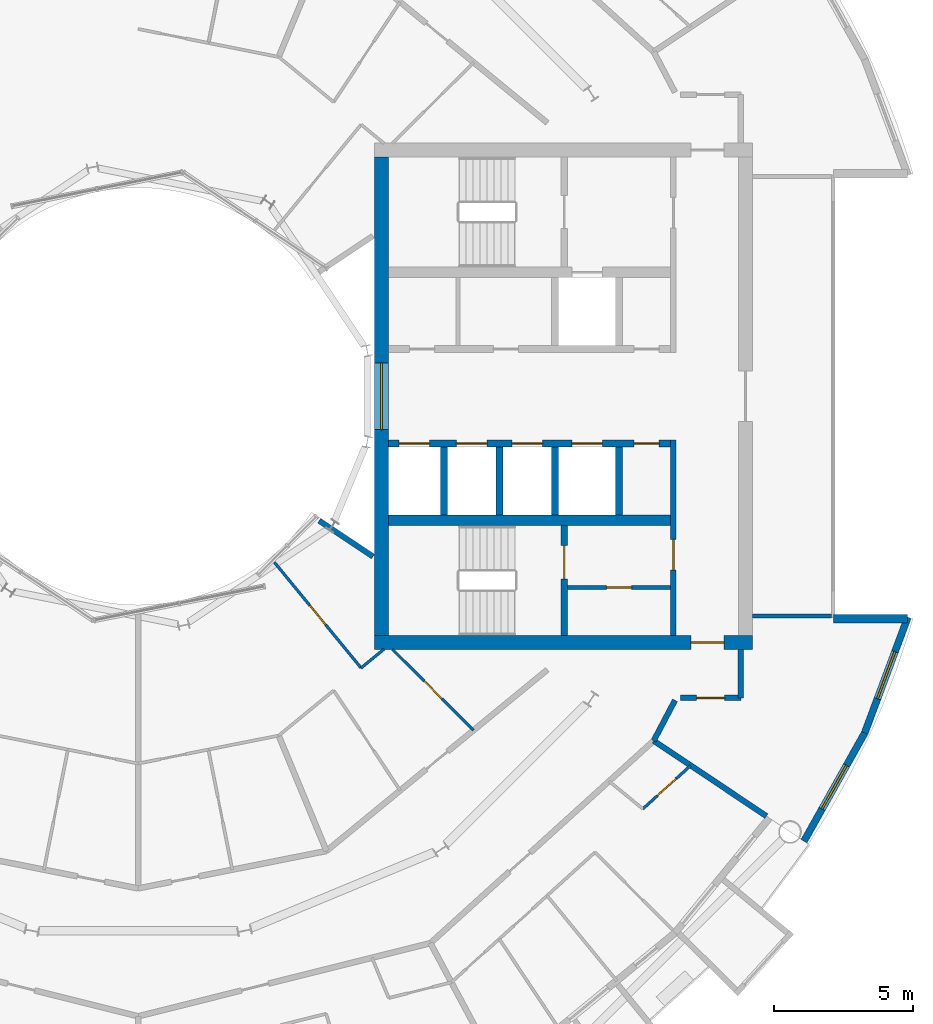
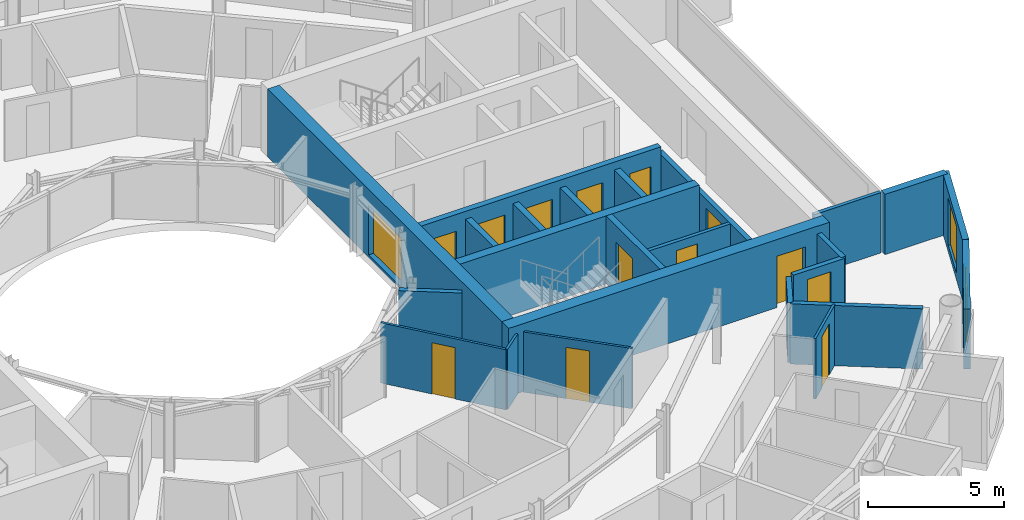
# One storey, part 18 of 26: 24 walls, 13 doors, 3 windows, 16 openings.
"""IFC4 building model written with IfcOpenShell, lengths in metres."""

from ifc_helpers import new_model, si_unit, direction, frame, frame_2d, origin, place, context, subcontext, project, spatial, rectangle, extrude, material, layer, layer_set, type_object, element, fill, save


model = new_model("IFC4")

# Units and contexts
model_context = context("Model", 3, precision=1e-05, world=origin(), true_north=direction((0.0, 1.0)))
body_context = subcontext(model_context, "Body", "Model", "MODEL_VIEW")
ifc_project = project(units=[si_unit("LENGTHUNIT", "METRE"), si_unit("AREAUNIT", "SQUARE_METRE"), si_unit("VOLUMEUNIT", "CUBIC_METRE"), si_unit("PLANEANGLEUNIT", "RADIAN"), si_unit("MASSUNIT", "GRAM", prefix="KILO")], contexts=[model_context])

# Site, building, storey
site_placement = place(None, origin())
site = spatial("IfcSite", under=ifc_project, at=site_placement, CompositionType="ELEMENT")
building_placement = place(site_placement, origin())
building = spatial("IfcBuilding", under=site, at=building_placement, Name="Maasbend Ring Residences", CompositionType="ELEMENT")
storey_placement = place(building_placement, frame((0.0, 0.0, 161.60009765625)))
storey = spatial("IfcBuildingStorey", under=building, at=storey_placement, Name="L46", CompositionType="ELEMENT", Elevation=161.60009765625)

# Wall, openings, doors
ifc_material_1 = material(Name="Concrete C60/75", Category="concrete")
ifc_layer_1 = layer(ifc_material_1, 0.25)
ifc_layer_set_1 = layer_set([ifc_layer_1], Name="Concrete C60/75")
wall_type_1 = type_object("IfcWallType", Name="CORE WALL 250 C60/75", PredefinedType="SHEAR", material=ifc_layer_set_1)
wall_1_placement = place(storey_placement, frame((19.14990234375, -1.699951171875, 0.0), z_axis=(0.0, 0.0, 1.0), x_axis=(-1.0, 0.0, 0.0)))
wall_1 = element("IfcWall", 1, at=wall_1_placement, inside=storey, type_object=wall_type_1, Name="L46 core E wall SPS", PredefinedType="SHEAR", context=body_context, shape_type="SweptSolid", body=[
    extrude(rectangle(XDim=10.14990234375, YDim=0.25, at=frame_2d((5.074951171875, 0.0))), origin(), (0.0, 0.0, 1.0), 3.0498046875),
])
opening_1_placement = place(wall_1_placement, frame((8.66259765625, 0.0, 0.0)))
opening_1 = element("IfcOpeningElement", 2, at=opening_1_placement, cuts=wall_1, Name="Opening LD-E4602", PredefinedType="OPENING", context=body_context, shape_type="SweptSolid", body=[
    extrude(rectangle(XDim=1.10009765625, YDim=2.300048828125, at=frame_2d((0.550048828125, 1.14990234375))), frame((0.0, 0.135009765625, 0.0), z_axis=(0.0, -1.0, 0.0), x_axis=(1.0, 0.0, 0.0)), (0.0, 0.0, 1.0), 0.27001953125),
])
opening_2_placement = place(wall_1_placement, frame((6.60009765625, 0.0, 0.0)))
opening_2 = element("IfcOpeningElement", 3, at=opening_2_placement, cuts=wall_1, Name="Opening LD-E4603", PredefinedType="OPENING", context=body_context, shape_type="SweptSolid", body=[
    extrude(rectangle(XDim=1.10009765625, YDim=2.300048828125, at=frame_2d((0.550048828125, 1.14990234375))), frame((0.0, 0.135009765625, 0.0), z_axis=(0.0, -1.0, 0.0), x_axis=(1.0, 0.0, 0.0)), (0.0, 0.0, 1.0), 0.27001953125),
])
opening_3_placement = place(wall_1_placement, frame((4.60009765625, 0.0, 0.0)))
opening_3 = element("IfcOpeningElement", 4, at=opening_3_placement, cuts=wall_1, Name="Opening LD-E4604", PredefinedType="OPENING", context=body_context, shape_type="SweptSolid", body=[
    extrude(rectangle(XDim=1.10009765625, YDim=2.300048828125, at=frame_2d((0.550048828125, 1.14990234375))), frame((0.0, 0.135009765625, 0.0), z_axis=(0.0, -1.0, 0.0), x_axis=(1.0, 0.0, 0.0)), (0.0, 0.0, 1.0), 0.27001953125),
])
opening_4_placement = place(wall_1_placement, frame((2.449951171875, 0.0, 0.0)))
opening_4 = element("IfcOpeningElement", 5, at=opening_4_placement, cuts=wall_1, Name="Opening LD-E4605", PredefinedType="OPENING", context=body_context, shape_type="SweptSolid", body=[
    extrude(rectangle(XDim=1.10009765625, YDim=2.300048828125, at=frame_2d((0.550048828125, 1.14990234375))), frame((0.0, 0.135009765625, 0.0), z_axis=(0.0, -1.0, 0.0), x_axis=(1.0, 0.0, 0.0)), (0.0, 0.0, 1.0), 0.27001953125),
])
opening_5_placement = place(wall_1_placement, frame((0.41259765625, 0.0, 0.0)))
opening_5 = element("IfcOpeningElement", 6, at=opening_5_placement, cuts=wall_1, Name="Opening D-E4609", PredefinedType="OPENING", context=body_context, shape_type="SweptSolid", body=[
    extrude(rectangle(XDim=0.89990234375, YDim=2.300048828125, at=frame_2d((0.449951171875, 1.14990234375))), frame((0.0, 0.135009765625, 0.0), z_axis=(0.0, -1.0, 0.0), x_axis=(1.0, 0.0, 0.0)), (0.0, 0.0, 1.0), 0.27001953125),
])
ifc_material_2 = material(Name="Stainless steel 316", Category="steel")
door_type_1 = type_object("IfcDoorType", Name="LANDING DOOR 1100 X 2300 FD60", OperationType="DOUBLE_DOOR_SLIDING", PredefinedType="DOOR", material=ifc_material_2)
door_1_placement = place(opening_1_placement, origin())
door_1 = element("IfcDoor", 7, at=door_1_placement, inside=storey, type_object=door_type_1, Name="Landing door HR-E1 L46", OperationType="DOUBLE_DOOR_SLIDING", OverallHeight=2.300048828125, OverallWidth=1.10009765625, PredefinedType="DOOR", context=body_context, shape_type="SweptSolid", body=[
    extrude(rectangle(XDim=1.10009765625, YDim=2.300048828125, at=frame_2d((0.550048828125, 1.14990234375))), frame((0.0, 0.02490234375, 0.0), z_axis=(0.0, -1.0, 0.0), x_axis=(1.0, 0.0, 0.0)), (0.0, 0.0, 1.0), 0.050048828125),
])
fill(opening_1, door_1)
door_2_placement = place(opening_2_placement, origin())
door_2 = element("IfcDoor", 8, at=door_2_placement, inside=storey, type_object=door_type_1, Name="Landing door HR-E2 L46", OperationType="DOUBLE_DOOR_SLIDING", OverallHeight=2.300048828125, OverallWidth=1.10009765625, PredefinedType="DOOR", context=body_context, shape_type="SweptSolid", body=[
    extrude(rectangle(XDim=1.10009765625, YDim=2.300048828125, at=frame_2d((0.550048828125, 1.14990234375))), frame((0.0, 0.02490234375, 0.0), z_axis=(0.0, -1.0, 0.0), x_axis=(1.0, 0.0, 0.0)), (0.0, 0.0, 1.0), 0.050048828125),
])
fill(opening_2, door_2)
door_3_placement = place(opening_3_placement, origin())
door_3 = element("IfcDoor", 9, at=door_3_placement, inside=storey, type_object=door_type_1, Name="Landing door HR-E3 L46", OperationType="DOUBLE_DOOR_SLIDING", OverallHeight=2.300048828125, OverallWidth=1.10009765625, PredefinedType="DOOR", context=body_context, shape_type="SweptSolid", body=[
    extrude(rectangle(XDim=1.10009765625, YDim=2.300048828125, at=frame_2d((0.550048828125, 1.14990234375))), frame((0.0, 0.02490234375, 0.0), z_axis=(0.0, -1.0, 0.0), x_axis=(1.0, 0.0, 0.0)), (0.0, 0.0, 1.0), 0.050048828125),
])
fill(opening_3, door_3)
door_4_placement = place(opening_4_placement, origin())
door_4 = element("IfcDoor", 10, at=door_4_placement, inside=storey, type_object=door_type_1, Name="Landing door SV-E L46", OperationType="DOUBLE_DOOR_SLIDING", OverallHeight=2.300048828125, OverallWidth=1.10009765625, PredefinedType="DOOR", context=body_context, shape_type="SweptSolid", body=[
    extrude(rectangle(XDim=1.10009765625, YDim=2.300048828125, at=frame_2d((0.550048828125, 1.14990234375))), frame((0.0, 0.02490234375, 0.0), z_axis=(0.0, -1.0, 0.0), x_axis=(1.0, 0.0, 0.0)), (0.0, 0.0, 1.0), 0.050048828125),
])
fill(opening_4, door_4)
ifc_material_3 = material(Name="Steel, powder coated", Category="steel")
door_type_2 = type_object("IfcDoorType", Name="ROOM DOOR 900 X 2300 FD30S", OperationType="NOTDEFINED", PredefinedType="DOOR", material=ifc_material_3)
door_5_placement = place(opening_5_placement, origin())
door_5 = element("IfcDoor", 11, at=door_5_placement, inside=storey, type_object=door_type_2, Name="Room door L46", OperationType="SINGLE_SWING_RIGHT", OverallHeight=2.300048828125, OverallWidth=0.89990234375, PredefinedType="DOOR", context=body_context, shape_type="SweptSolid", body=[
    extrude(rectangle(XDim=0.89990234375, YDim=2.300048828125, at=frame_2d((0.449951171875, 1.14990234375))), frame((0.0, 0.02490234375, 0.0), z_axis=(0.0, -1.0, 0.0), x_axis=(1.0, 0.0, 0.0)), (0.0, 0.0, 1.0), 0.050048828125),
])
fill(opening_5, door_5)

# Wall, opening, door
wall_2_placement = place(storey_placement, frame((15.324951171875, -8.60009765625, 0.0), z_axis=(0.0, 0.0, 1.0), x_axis=(0.0, 1.0, 0.0)))
wall_2 = element("IfcWall", 12, at=wall_2_placement, inside=storey, type_object=wall_type_1, Name="L46 core E wall STES", PredefinedType="SHEAR", context=body_context, shape_type="SweptSolid", body=[
    extrude(rectangle(XDim=3.9501953125, YDim=0.25, at=frame_2d((1.97509765625, 0.0))), origin(), (0.0, 0.0, 1.0), 3.0498046875),
])
opening_6_placement = place(wall_2_placement, frame((2.02490234375, 0.0, 0.0)))
opening_6 = element("IfcOpeningElement", 13, at=opening_6_placement, cuts=wall_2, Name="Opening D-E4612", PredefinedType="OPENING", context=body_context, shape_type="SweptSolid", body=[
    extrude(rectangle(XDim=1.199951171875, YDim=2.300048828125, at=frame_2d((0.60009765625, 1.14990234375))), frame((0.0, 0.135009765625, 0.0), z_axis=(0.0, -1.0, 0.0), x_axis=(1.0, 0.0, 0.0)), (0.0, 0.0, 1.0), 0.27001953125),
])
ifc_material_4 = material(Name="Steel, powder coated", Category="steel")
door_type_3 = type_object("IfcDoorType", Name="STAIR DOOR 1200 X 2300 FD60", OperationType="NOTDEFINED", PredefinedType="DOOR", material=ifc_material_4)
door_6_placement = place(opening_6_placement, origin())
door_6 = element("IfcDoor", 14, at=door_6_placement, inside=storey, type_object=door_type_3, Name="Stair door ST-E L46", OperationType="SINGLE_SWING_LEFT", OverallHeight=2.300048828125, OverallWidth=1.199951171875, PredefinedType="DOOR", context=body_context, shape_type="SweptSolid", body=[
    extrude(rectangle(XDim=1.199951171875, YDim=2.300048828125, at=frame_2d((0.60009765625, 1.14990234375))), frame((0.0, 0.02490234375, 0.0), z_axis=(0.0, -1.0, 0.0), x_axis=(1.0, 0.0, 0.0)), (0.0, 0.0, 1.0), 0.050048828125),
])
fill(opening_6, door_6)

# Wall
ifc_material_5 = material(Name="Concrete C60/75", Category="concrete")
ifc_layer_2 = layer(ifc_material_5, 0.375)
ifc_layer_set_2 = layer_set([ifc_layer_2], Name="Concrete C60/75")
wall_type_2 = type_object("IfcWallType", Name="CORE WALL 375 C60/75", PredefinedType="SHEAR", material=ifc_layer_set_2)
wall_3_placement = place(storey_placement, frame((9.0, -4.46240234375, 0.0), z_axis=(0.0, 0.0, 1.0), x_axis=(1.0, 0.0, 0.0)))
element("IfcWall", 15, at=wall_3_placement, inside=storey, type_object=wall_type_2, Name="L46 core E wall BS", PredefinedType="SHEAR", context=body_context, shape_type="SweptSolid", body=[
    extrude(rectangle(XDim=10.14990234375, YDim=0.375, at=frame_2d((5.074951171875, 0.0))), origin(), (0.0, 0.0, 1.0), 3.0498046875),
])

# Wall, opening, door
ifc_material_6 = material(Name="Concrete C60/75", Category="concrete")
ifc_layer_3 = layer(ifc_material_6, 0.5)
ifc_layer_set_3 = layer_set([ifc_layer_3], Name="Concrete C60/75")
wall_type_3 = type_object("IfcWallType", Name="CORE WALL 500 C60/75", PredefinedType="SHEAR", material=ifc_layer_set_3)
wall_4_placement = place(storey_placement, frame((8.5, -8.85009765625, 0.0), z_axis=(0.0, 0.0, 1.0), x_axis=(1.0, 0.0, 0.0)))
wall_4 = element("IfcWall", 16, at=wall_4_placement, inside=storey, type_object=wall_type_3, Name="L46 core E wall PS", PredefinedType="SHEAR", context=body_context, shape_type="SweptSolid", body=[
    extrude(rectangle(XDim=13.60009765625, YDim=0.5, at=frame_2d((6.800048828125, 0.0))), origin(), (0.0, 0.0, 1.0), 3.0498046875),
])
opening_7_placement = place(wall_4_placement, frame((11.375, 0.0, 0.0)))
opening_7 = element("IfcOpeningElement", 17, at=opening_7_placement, cuts=wall_4, Name="Opening D-E4616", PredefinedType="OPENING", context=body_context, shape_type="SweptSolid", body=[
    extrude(rectangle(XDim=1.199951171875, YDim=2.300048828125, at=frame_2d((0.60009765625, 1.14990234375))), frame((0.0, 0.260009765625, 0.0), z_axis=(0.0, -1.0, 0.0), x_axis=(1.0, 0.0, 0.0)), (0.0, 0.0, 1.0), 0.52001953125),
])
ifc_material_7 = material(Name="Steel, powder coated", Category="steel")
door_type_4 = type_object("IfcDoorType", Name="CORRIDOR DOOR 1200 X 2300 FD30S", OperationType="NOTDEFINED", PredefinedType="DOOR", material=ifc_material_7)
door_7_placement = place(opening_7_placement, origin())
door_7 = element("IfcDoor", 18, at=door_7_placement, inside=storey, type_object=door_type_4, Name="Corridor door L46", OperationType="SINGLE_SWING_LEFT", OverallHeight=2.300048828125, OverallWidth=1.199951171875, PredefinedType="DOOR", context=body_context, shape_type="SweptSolid", body=[
    extrude(rectangle(XDim=1.199951171875, YDim=2.300048828125, at=frame_2d((0.60009765625, 1.14990234375))), frame((0.0, 0.02490234375, 0.0), z_axis=(0.0, -1.0, 0.0), x_axis=(1.0, 0.0, 0.0)), (0.0, 0.0, 1.0), 0.050048828125),
])
fill(opening_7, door_7)

# Wall, opening, window
wall_5_placement = place(storey_placement, frame((8.75, -8.60009765625, 0.0), z_axis=(0.0, 0.0, 1.0), x_axis=(0.0, 1.0, 0.0)))
wall_5 = element("IfcWall", 19, at=wall_5_placement, inside=storey, type_object=wall_type_3, Name="L46 core E wall PIN", PredefinedType="SHEAR", context=body_context, shape_type="SweptSolid", body=[
    extrude(rectangle(XDim=17.2001953125, YDim=0.5, at=frame_2d((8.60009765625, 0.0))), origin(), (0.0, 0.0, 1.0), 3.0498046875),
])
opening_8_placement = place(wall_5_placement, frame((7.39990234375, 0.0, 0.10009765625)))
opening_8 = element("IfcOpeningElement", 20, at=opening_8_placement, cuts=wall_5, Name="Opening W-E4601", PredefinedType="OPENING", context=body_context, shape_type="SweptSolid", body=[
    extrude(rectangle(XDim=2.39990234375, YDim=2.199951171875, at=frame_2d((1.199951171875, 1.10009765625))), frame((0.0, 0.260009765625, 0.0), z_axis=(0.0, -1.0, 0.0), x_axis=(1.0, 0.0, 0.0)), (0.0, 0.0, 1.0), 0.52001953125),
])
ifc_material_8 = material(Name="Aluminium frame and clear glass", Category="aluminium")
window_type_1 = type_object("IfcWindowType", Name="FIXED WINDOW 2400 X 2200", PartitioningType="SINGLE_PANEL", PredefinedType="WINDOW", material=ifc_material_8)
window_1_placement = place(opening_8_placement, origin())
window_1 = element("IfcWindow", 21, at=window_1_placement, inside=storey, type_object=window_type_1, Name="Lobby window L46", OverallHeight=2.199951171875, OverallWidth=2.39990234375, PartitioningType="SINGLE_PANEL", PredefinedType="WINDOW", context=body_context, shape_type="SweptSolid", body=[
    extrude(rectangle(XDim=2.39990234375, YDim=2.199951171875, at=frame_2d((1.199951171875, 1.10009765625))), frame((0.0, 0.030029296875, 0.0), z_axis=(0.0, -1.0, 0.0), x_axis=(1.0, 0.0, 0.0)), (0.0, 0.0, 1.0), 0.06005859375),
])
fill(opening_8, window_1)

# Walls
ifc_material_9 = material(Name="Concrete C30/37", Category="concrete")
ifc_layer_4 = layer(ifc_material_9, 0.199951171875)
ifc_layer_set_4 = layer_set([ifc_layer_4], Name="Concrete C30/37")
wall_type_4 = type_object("IfcWallType", Name="CORRIDOR WALL 200 CONCRETE", PredefinedType="PARTITIONING", material=ifc_layer_set_4)
wall_6_placement = place(storey_placement, frame((18.5419921875, -12.388916015625, 0.0), z_axis=(0.0, 0.0, 1.0), x_axis=(0.465605550524, 0.884992356646, 0.0)))
element("IfcWall", 22, at=wall_6_placement, inside=storey, type_object=wall_type_4, Name="U-L46-w010", PredefinedType="PARTITIONING", context=body_context, shape_type="SweptSolid", body=[
    extrude(rectangle(XDim=1.642822265625, YDim=0.199951171875, at=frame_2d((0.8212890625, 0.0))), origin(), (0.0, 0.0, 1.0), 2.699951171875),
])
wall_7_placement = place(storey_placement, frame((21.675048828125, -10.85009765625, 0.0), z_axis=(0.0, 0.0, 1.0), x_axis=(0.0, 1.0, 0.0)))
element("IfcWall", 23, at=wall_7_placement, inside=storey, type_object=wall_type_4, Name="U-L46-w011", PredefinedType="PARTITIONING", context=body_context, shape_type="SweptSolid", body=[
    extrude(rectangle(XDim=1.75, YDim=0.199951171875, at=frame_2d((0.875, 0.0))), origin(), (0.0, 0.0, 1.0), 2.699951171875),
])

# Wall, opening, door
wall_8_placement = place(storey_placement, frame((19.50390625, -10.85009765625, 0.0), z_axis=(0.0, 0.0, 1.0), x_axis=(1.0, 0.0, 0.0)))
wall_8 = element("IfcWall", 24, at=wall_8_placement, inside=storey, type_object=wall_type_4, Name="U-L46-w028", PredefinedType="PARTITIONING", context=body_context, shape_type="SweptSolid", body=[
    extrude(rectangle(XDim=2.171142578125, YDim=0.199951171875, at=frame_2d((1.08544921875, 0.0))), origin(), (0.0, 0.0, 1.0), 2.699951171875),
])
opening_9_placement = place(wall_8_placement, frame((0.5849609375, 0.0, 0.0)))
opening_9 = element("IfcOpeningElement", 25, at=opening_9_placement, cuts=wall_8, Name="Opening D-4668", PredefinedType="OPENING", context=body_context, shape_type="SweptSolid", body=[
    extrude(rectangle(XDim=1.0, YDim=2.300048828125, at=frame_2d((0.5, 1.14990234375))), frame((0.0, 0.10986328125, 0.0), z_axis=(0.0, -1.0, 0.0), x_axis=(1.0, 0.0, 0.0)), (0.0, 0.0, 1.0), 0.219970703125),
])
ifc_material_10 = material(Name="Timber, painted", Category="wood")
door_type_5 = type_object("IfcDoorType", Name="ROOM DOOR 1000 X 2300", OperationType="NOTDEFINED", PredefinedType="DOOR", material=ifc_material_10)
door_8_placement = place(opening_9_placement, origin())
door_8 = element("IfcDoor", 26, at=door_8_placement, inside=storey, type_object=door_type_5, Name="D-4668", OperationType="SINGLE_SWING_LEFT", OverallHeight=2.300048828125, OverallWidth=1.0, PredefinedType="DOOR", context=body_context, shape_type="SweptSolid", body=[
    extrude(rectangle(XDim=1.0, YDim=2.300048828125, at=frame_2d((0.5, 1.14990234375))), frame((0.0, 0.02490234375, 0.0), z_axis=(0.0, -1.0, 0.0), x_axis=(1.0, 0.0, 0.0)), (0.0, 0.0, 1.0), 0.050048828125),
])
fill(opening_9, door_8)

# Wall, opening, window
ifc_material_11 = material(Name="Aluminium clad insulated panel", Category="aluminium")
ifc_layer_5 = layer(ifc_material_11, 0.25)
ifc_layer_set_5 = layer_set([ifc_layer_5], Name="EW-HORN")
wall_type_5 = type_object("IfcWallType", Name="EW-HORN", PredefinedType="SOLIDWALL", material=ifc_layer_set_5)
wall_9_placement = place(storey_placement, frame((23.946044921875, -16.0, 0.0), z_axis=(0.0, 0.0, 1.0), x_axis=(0.489696356642, 0.871893042919, 0.0)))
wall_9 = element("IfcWall", 27, at=wall_9_placement, inside=storey, type_object=wall_type_5, Name="Horn wall 2.1", PredefinedType="SOLIDWALL", context=body_context, shape_type="SweptSolid", body=[
    extrude(rectangle(XDim=4.45361328125, YDim=0.25, at=frame_2d((2.226806640625, 0.0))), origin(), (0.0, 0.0, 1.0), 2.699951171875),
])
opening_10_placement = place(wall_9_placement, frame((1.32666015625, 0.0, 0.300048828125)))
opening_10 = element("IfcOpeningElement", 28, at=opening_10_placement, cuts=wall_9, Name="Opening W-BX", PredefinedType="OPENING", context=body_context, shape_type="SweptSolid", body=[
    extrude(rectangle(XDim=1.800048828125, YDim=2.10009765625, at=frame_2d((0.89990234375, 1.050048828125))), frame((0.0, 0.135009765625, 0.0), z_axis=(0.0, -1.0, 0.0), x_axis=(1.0, 0.0, 0.0)), (0.0, 0.0, 1.0), 0.27001953125),
])
ifc_material_12 = material(Name="Aluminium and clear glass", Category="aluminium")
window_type_2 = type_object("IfcWindowType", Name="W-BX", PartitioningType="DOUBLE_PANEL_VERTICAL", PredefinedType="WINDOW", material=ifc_material_12)
window_2_placement = place(opening_10_placement, origin())
window_2 = element("IfcWindow", 29, at=window_2_placement, inside=storey, type_object=window_type_2, Name="Horn window 2.1", OverallHeight=2.10009765625, OverallWidth=1.800048828125, PartitioningType="SINGLE_PANEL", PredefinedType="WINDOW", context=body_context, shape_type="SweptSolid", body=[
    extrude(rectangle(XDim=1.800048828125, YDim=2.10009765625, at=frame_2d((0.89990234375, 1.050048828125))), frame((0.0, 0.030029296875, 0.0), z_axis=(0.0, -1.0, 0.0), x_axis=(1.0, 0.0, 0.0)), (0.0, 0.0, 1.0), 0.06005859375),
])
fill(opening_10, window_2)

wall_10_placement = place(storey_placement, frame((26.126953125, -12.116943359375, 0.0), z_axis=(0.0, 0.0, 1.0), x_axis=(0.349247811493, 0.937030397675, 0.0)))
wall_10 = element("IfcWall", 30, at=wall_10_placement, inside=storey, type_object=wall_type_5, Name="Horn wall 2.2", PredefinedType="SOLIDWALL", context=body_context, shape_type="SweptSolid", body=[
    extrude(rectangle(XDim=4.4521484375, YDim=0.25, at=frame_2d((2.22607421875, 0.0))), origin(), (0.0, 0.0, 1.0), 2.699951171875),
])
opening_11_placement = place(wall_10_placement, frame((1.32666015625, 0.0, 0.300048828125)))
opening_11 = element("IfcOpeningElement", 31, at=opening_11_placement, cuts=wall_10, Name="Opening W-BX", PredefinedType="OPENING", context=body_context, shape_type="SweptSolid", body=[
    extrude(rectangle(XDim=1.800048828125, YDim=2.10009765625, at=frame_2d((0.89990234375, 1.050048828125))), frame((0.0, 0.135009765625, 0.0), z_axis=(0.0, -1.0, 0.0), x_axis=(1.0, 0.0, 0.0)), (0.0, 0.0, 1.0), 0.27001953125),
])
window_3_placement = place(opening_11_placement, origin())
window_3 = element("IfcWindow", 32, at=window_3_placement, inside=storey, type_object=window_type_2, Name="Horn window 2.2", OverallHeight=2.10009765625, OverallWidth=1.800048828125, PartitioningType="SINGLE_PANEL", PredefinedType="WINDOW", context=body_context, shape_type="SweptSolid", body=[
    extrude(rectangle(XDim=1.800048828125, YDim=2.10009765625, at=frame_2d((0.89990234375, 1.050048828125))), frame((0.0, 0.030029296875, 0.0), z_axis=(0.0, -1.0, 0.0), x_axis=(1.0, 0.0, 0.0)), (0.0, 0.0, 1.0), 0.06005859375),
])
fill(opening_11, window_3)

# Wall
ifc_material_13 = material(Name="Aluminium clad insulated panel", Category="aluminium")
ifc_layer_6 = layer(ifc_material_13, 0.300048828125)
ifc_layer_set_6 = layer_set([ifc_layer_6], Name="EW-RET")
wall_type_6 = type_object("IfcWallType", Name="EW-RET", PredefinedType="SOLIDWALL", material=ifc_layer_set_6)
wall_11_placement = place(storey_placement, frame((25.0, -8.0, 0.0), z_axis=(0.0, 0.0, 1.0), x_axis=(1.0, 0.0, 0.0)))
element("IfcWall", 33, at=wall_11_placement, inside=storey, type_object=wall_type_6, Name="Notch return wall east south", PredefinedType="SOLIDWALL", context=body_context, shape_type="SweptSolid", body=[
    extrude(rectangle(XDim=2.6669921875, YDim=0.300048828125, at=frame_2d((1.33349609375, 0.0))), origin(), (0.0, 0.0, 1.0), 2.699951171875),
])

# Wall, opening, door
ifc_material_14 = material(Name="Gypsum board on steel studs", Category="steel")
ifc_layer_7 = layer(ifc_material_14, 0.10009765625)
ifc_layer_set_7 = layer_set([ifc_layer_7], Name="PARTITION 100 GYPSUM")
wall_type_7 = type_object("IfcWallType", Name="PARTITION 100 GYPSUM", PredefinedType="PARTITIONING", material=ifc_layer_set_7)
wall_12_placement = place(storey_placement, frame((18.14697265625, -14.843994140625, 0.0), z_axis=(0.0, 0.0, 1.0), x_axis=(0.741080073381, 0.671416655169, 0.0)))
wall_12 = element("IfcWall", 34, at=wall_12_placement, inside=storey, type_object=wall_type_7, Name="U-L46-w008", PredefinedType="PARTITIONING", context=body_context, shape_type="SweptSolid", body=[
    extrude(rectangle(XDim=2.323486328125, YDim=0.10009765625, at=frame_2d((1.16162109375, 0.0))), origin(), (0.0, 0.0, 1.0), 2.699951171875),
])
opening_12_placement = place(wall_12_placement, frame((0.718017578125, 0.0, 0.0)))
opening_12 = element("IfcOpeningElement", 35, at=opening_12_placement, cuts=wall_12, Name="Opening D-4648", PredefinedType="OPENING", context=body_context, shape_type="SweptSolid", body=[
    extrude(rectangle(XDim=0.89990234375, YDim=2.300048828125, at=frame_2d((0.449951171875, 1.14990234375))), frame((0.0, 0.06005859375, 0.0), z_axis=(0.0, -1.0, 0.0), x_axis=(1.0, 0.0, 0.0)), (0.0, 0.0, 1.0), 0.1201171875),
])
ifc_material_15 = material(Name="Timber, painted", Category="wood")
door_type_6 = type_object("IfcDoorType", Name="INTERNAL DOOR 900 X 2300", OperationType="NOTDEFINED", PredefinedType="DOOR", material=ifc_material_15)
door_9_placement = place(opening_12_placement, origin())
door_9 = element("IfcDoor", 36, at=door_9_placement, inside=storey, type_object=door_type_6, Name="D-4648", OperationType="SINGLE_SWING_RIGHT", OverallHeight=2.300048828125, OverallWidth=0.89990234375, PredefinedType="DOOR", context=body_context, shape_type="SweptSolid", body=[
    extrude(rectangle(XDim=0.89990234375, YDim=2.300048828125, at=frame_2d((0.449951171875, 1.14990234375))), frame((0.0, 0.02490234375, 0.0), z_axis=(0.0, -1.0, 0.0), x_axis=(1.0, 0.0, 0.0)), (0.0, 0.0, 1.0), 0.050048828125),
])
fill(opening_12, door_9)

# Wall
wall_13_placement = place(storey_placement, frame((8.01611328125, -9.77294921875, 0.0), z_axis=(0.0, 0.0, 1.0), x_axis=(0.7731800648, 0.634186555673, 0.0)))
element("IfcWall", 37, at=wall_13_placement, inside=storey, type_object=wall_type_7, Name="U-L46-w026", PredefinedType="PARTITIONING", context=body_context, shape_type="SweptSolid", body=[
    extrude(rectangle(XDim=1.064453125, YDim=0.10009765625, at=frame_2d((0.5322265625, 0.0))), origin(), (0.0, 0.0, 1.0), 2.699951171875),
])

# Wall, opening, door
wall_14_placement = place(storey_placement, frame((4.89794921875, -5.968017578125, 0.0), z_axis=(0.0, 0.0, 1.0), x_axis=(0.634401778971, -0.773003481776, 0.0)))
wall_14 = element("IfcWall", 38, at=wall_14_placement, inside=storey, type_object=wall_type_7, Name="U-L46-w068", PredefinedType="PARTITIONING", context=body_context, shape_type="SweptSolid", body=[
    extrude(rectangle(XDim=4.919677734375, YDim=0.10009765625, at=frame_2d((2.4599609375, 0.0))), origin(), (0.0, 0.0, 1.0), 2.699951171875),
])
opening_13_placement = place(wall_14_placement, frame((2.010009765625, 0.0, 0.0)))
opening_13 = element("IfcOpeningElement", 39, at=opening_13_placement, cuts=wall_14, Name="Opening D-4665", PredefinedType="OPENING", context=body_context, shape_type="SweptSolid", body=[
    extrude(rectangle(XDim=0.89990234375, YDim=2.300048828125, at=frame_2d((0.449951171875, 1.14990234375))), frame((0.0, 0.06005859375, 0.0), z_axis=(0.0, -1.0, 0.0), x_axis=(1.0, 0.0, 0.0)), (0.0, 0.0, 1.0), 0.1201171875),
])
door_10_placement = place(opening_13_placement, origin())
door_10 = element("IfcDoor", 40, at=door_10_placement, inside=storey, type_object=door_type_6, Name="D-4665", OperationType="SINGLE_SWING_RIGHT", OverallHeight=2.300048828125, OverallWidth=0.89990234375, PredefinedType="DOOR", context=body_context, shape_type="SweptSolid", body=[
    extrude(rectangle(XDim=0.89990234375, YDim=2.300048828125, at=frame_2d((0.449951171875, 1.14990234375))), frame((0.0, 0.02490234375, 0.0), z_axis=(0.0, -1.0, 0.0), x_axis=(1.0, 0.0, 0.0)), (0.0, 0.0, 1.0), 0.050048828125),
])
fill(opening_13, door_10)

wall_15_placement = place(storey_placement, frame((9.14404296875, -9.10400390625, 0.0), z_axis=(0.0, 0.0, 1.0), x_axis=(0.708793214553, -0.705416316088, 0.0)))
wall_15 = element("IfcWall", 41, at=wall_15_placement, inside=storey, type_object=wall_type_7, Name="U-L46-w077", PredefinedType="PARTITIONING", context=body_context, shape_type="SweptSolid", body=[
    extrude(rectangle(XDim=4.120849609375, YDim=0.10009765625, at=frame_2d((2.060546875, 0.0))), origin(), (0.0, 0.0, 1.0), 2.699951171875),
])
opening_14_placement = place(wall_15_placement, frame((1.611083984375, 0.0, 0.0)))
opening_14 = element("IfcOpeningElement", 42, at=opening_14_placement, cuts=wall_15, Name="Opening D-4664", PredefinedType="OPENING", context=body_context, shape_type="SweptSolid", body=[
    extrude(rectangle(XDim=0.89990234375, YDim=2.300048828125, at=frame_2d((0.449951171875, 1.14990234375))), frame((0.0, 0.06005859375, 0.0), z_axis=(0.0, -1.0, 0.0), x_axis=(1.0, 0.0, 0.0)), (0.0, 0.0, 1.0), 0.1201171875),
])
door_11_placement = place(opening_14_placement, origin())
door_11 = element("IfcDoor", 43, at=door_11_placement, inside=storey, type_object=door_type_6, Name="D-4664", OperationType="SINGLE_SWING_RIGHT", OverallHeight=2.300048828125, OverallWidth=0.89990234375, PredefinedType="DOOR", context=body_context, shape_type="SweptSolid", body=[
    extrude(rectangle(XDim=0.89990234375, YDim=2.300048828125, at=frame_2d((0.449951171875, 1.14990234375))), frame((0.0, 0.02490234375, 0.0), z_axis=(0.0, -1.0, 0.0), x_axis=(1.0, 0.0, 0.0)), (0.0, 0.0, 1.0), 0.050048828125),
])
fill(opening_14, door_11)

ifc_material_16 = material(Name="Gypsum board on steel studs", Category="steel")
ifc_layer_8 = layer(ifc_material_16, 0.14990234375)
ifc_layer_set_8 = layer_set([ifc_layer_8], Name="PARTITION 150 EI 60")
wall_type_8 = type_object("IfcWallType", Name="PARTITION 150 EI 60", PredefinedType="PARTITIONING", material=ifc_layer_set_8)
wall_16_placement = place(storey_placement, frame((15.449951171875, -6.875, 0.0), z_axis=(0.0, 0.0, 1.0), x_axis=(1.0, 0.0, 0.0)))
wall_16 = element("IfcWall", 44, at=wall_16_placement, inside=storey, type_object=wall_type_8, Name="L46 core E wall RHS", PredefinedType="PARTITIONING", context=body_context, shape_type="SweptSolid", body=[
    extrude(rectangle(XDim=3.699951171875, YDim=0.14990234375, at=frame_2d((1.85009765625, 0.0))), origin(), (0.0, 0.0, 1.0), 2.699951171875),
])
opening_15_placement = place(wall_16_placement, frame((1.39990234375, 0.0, 0.0)))
opening_15 = element("IfcOpeningElement", 45, at=opening_15_placement, cuts=wall_16, Name="Opening D-E4610", PredefinedType="OPENING", context=body_context, shape_type="SweptSolid", body=[
    extrude(rectangle(XDim=0.89990234375, YDim=2.300048828125, at=frame_2d((0.449951171875, 1.14990234375))), frame((0.0, 0.0849609375, 0.0), z_axis=(0.0, -1.0, 0.0), x_axis=(1.0, 0.0, 0.0)), (0.0, 0.0, 1.0), 0.169921875),
])
ifc_material_17 = material(Name="Steel, powder coated", Category="steel")
door_type_7 = type_object("IfcDoorType", Name="RISER DOOR 900 X 2300 FD60", OperationType="NOTDEFINED", PredefinedType="DOOR", material=ifc_material_17)
door_12_placement = place(opening_15_placement, origin())
door_12 = element("IfcDoor", 46, at=door_12_placement, inside=storey, type_object=door_type_7, Name="Riser door L46", OperationType="SINGLE_SWING_LEFT", OverallHeight=2.300048828125, OverallWidth=0.89990234375, PredefinedType="DOOR", context=body_context, shape_type="SweptSolid", body=[
    extrude(rectangle(XDim=0.89990234375, YDim=2.300048828125, at=frame_2d((0.449951171875, 1.14990234375))), frame((0.0, 0.02490234375, 0.0), z_axis=(0.0, -1.0, 0.0), x_axis=(1.0, 0.0, 0.0)), (0.0, 0.0, 1.0), 0.050048828125),
])
fill(opening_15, door_12)

# Walls
wall_17_placement = place(storey_placement, frame((22.10009765625, -7.89990234375, 0.0), z_axis=(0.0, 0.0, 1.0), x_axis=(1.0, 0.0, 0.0)))
element("IfcWall", 47, at=wall_17_placement, inside=storey, type_object=wall_type_8, Name="L46 core E wall CITS", PredefinedType="PARTITIONING", context=body_context, shape_type="SweptSolid", body=[
    extrude(rectangle(XDim=2.83984375, YDim=0.14990234375, at=frame_2d((1.419921875, 0.0))), origin(), (0.0, 0.0, 1.0), 2.699951171875),
])
ifc_material_18 = material(Name="Concrete C30/37", Category="concrete")
ifc_layer_9 = layer(ifc_material_18, 0.199951171875)
ifc_layer_set_9 = layer_set([ifc_layer_9], Name="Concrete C30/37")
wall_type_9 = type_object("IfcWallType", Name="PARTY WALL 200 CONCRETE", PredefinedType="PARTITIONING", material=ifc_layer_set_9)
wall_18_placement = place(storey_placement, frame((6.512939453125, -4.471923828125, 0.0), z_axis=(0.0, 0.0, 1.0), x_axis=(0.83133816625, -0.555766905579, 0.0)))
element("IfcWall", 48, at=wall_18_placement, inside=storey, type_object=wall_type_9, Name="U-L46-w030", PredefinedType="PARTITIONING", context=body_context, shape_type="SweptSolid", body=[
    extrude(rectangle(XDim=2.322998046875, YDim=0.199951171875, at=frame_2d((1.16162109375, 0.0))), origin(), (0.0, 0.0, 1.0), 2.699951171875),
])
wall_19_placement = place(storey_placement, frame((18.5419921875, -12.388916015625, 0.0), z_axis=(0.0, 0.0, 1.0), x_axis=(0.831387096605, -0.55569370664, 0.0)))
element("IfcWall", 49, at=wall_19_placement, inside=storey, type_object=wall_type_9, Name="U-L46-w089", PredefinedType="PARTITIONING", context=body_context, shape_type="SweptSolid", body=[
    extrude(rectangle(XDim=4.875, YDim=0.199951171875, at=frame_2d((2.4375, 0.0))), origin(), (0.0, 0.0, 1.0), 2.699951171875),
])

# Wall, opening, door
ifc_material_19 = material(Name="Concrete C30/37", Category="concrete")
ifc_layer_10 = layer(ifc_material_19, 0.199951171875)
ifc_layer_set_10 = layer_set([ifc_layer_10], Name="Concrete C30/37")
wall_type_10 = type_object("IfcWallType", Name="SHAFT WALL 200 EI 120", PredefinedType="SOLIDWALL", material=ifc_layer_set_10)
wall_20_placement = place(storey_placement, frame((19.25, -8.60009765625, 0.0), z_axis=(0.0, 0.0, 1.0), x_axis=(0.0, 1.0, 0.0)))
wall_20 = element("IfcWall", 50, at=wall_20_placement, inside=storey, type_object=wall_type_10, Name="L46 core E wall ENDS", PredefinedType="SOLIDWALL", context=body_context, shape_type="SweptSolid", body=[
    extrude(rectangle(XDim=7.025146484375, YDim=0.199951171875, at=frame_2d((3.5126953125, 0.0))), origin(), (0.0, 0.0, 1.0), 2.699951171875),
])
opening_16_placement = place(wall_20_placement, frame((2.35009765625, 0.0, 0.0)))
opening_16 = element("IfcOpeningElement", 51, at=opening_16_placement, cuts=wall_20, Name="Opening D-E4614", PredefinedType="OPENING", context=body_context, shape_type="SweptSolid", body=[
    extrude(rectangle(XDim=1.10009765625, YDim=2.300048828125, at=frame_2d((0.550048828125, 1.14990234375))), frame((0.0, 0.10986328125, 0.0), z_axis=(0.0, -1.0, 0.0), x_axis=(1.0, 0.0, 0.0)), (0.0, 0.0, 1.0), 0.219970703125),
])
ifc_material_20 = material(Name="Steel, powder coated", Category="steel")
door_type_8 = type_object("IfcDoorType", Name="LOBBY DOOR 1100 X 2300 FD60", OperationType="NOTDEFINED", PredefinedType="DOOR", material=ifc_material_20)
door_13_placement = place(opening_16_placement, origin())
door_13 = element("IfcDoor", 52, at=door_13_placement, inside=storey, type_object=door_type_8, Name="Lobby door L46", OperationType="SINGLE_SWING_RIGHT", OverallHeight=2.300048828125, OverallWidth=1.10009765625, PredefinedType="DOOR", context=body_context, shape_type="SweptSolid", body=[
    extrude(rectangle(XDim=1.10009765625, YDim=2.300048828125, at=frame_2d((0.550048828125, 1.14990234375))), frame((0.0, 0.02490234375, 0.0), z_axis=(0.0, -1.0, 0.0), x_axis=(1.0, 0.0, 0.0)), (0.0, 0.0, 1.0), 0.050048828125),
])
fill(opening_16, door_13)

# Walls
ifc_material_21 = material(Name="Concrete C30/37", Category="concrete")
ifc_layer_11 = layer(ifc_material_21, 0.25)
ifc_layer_set_11 = layer_set([ifc_layer_11], Name="Concrete C30/37")
wall_type_11 = type_object("IfcWallType", Name="SHAFT WALL 250 EI 120", PredefinedType="SOLIDWALL", material=ifc_layer_set_11)
for number, where, z_axis, x_axis, name in (
    (53, (15.0, -1.824951171875, 0.0), (0.0, 0.0, 1.0), (0.0, -1.0, 0.0), "L46 core E wall D150S"),
    (54, (17.300048828125, -1.824951171875, 0.0), (0.0, 0.0, 1.0), (0.0, -1.0, 0.0), "L46 core E wall D173S"),
    (55, (11.0, -1.824951171875, 0.0), (0.0, 0.0, 1.0), (0.0, -1.0, 0.0), "L46 core E wall D110S"),
    (56, (13.0, -1.824951171875, 0.0), (0.0, 0.0, 1.0), (0.0, -1.0, 0.0), "L46 core E wall D130S"),
):
    element("IfcWall", number, at=place(storey_placement, frame(where, z_axis=z_axis, x_axis=x_axis)), inside=storey, type_object=wall_type_11, Name=name, PredefinedType="SOLIDWALL", context=body_context, shape_type="SweptSolid", body=[
        extrude(rectangle(XDim=2.449951171875, YDim=0.25, at=frame_2d((1.22509765625, 0.0))), origin(), (0.0, 0.0, 1.0), 2.699951171875),
    ])

save(model, "model.ifc")
